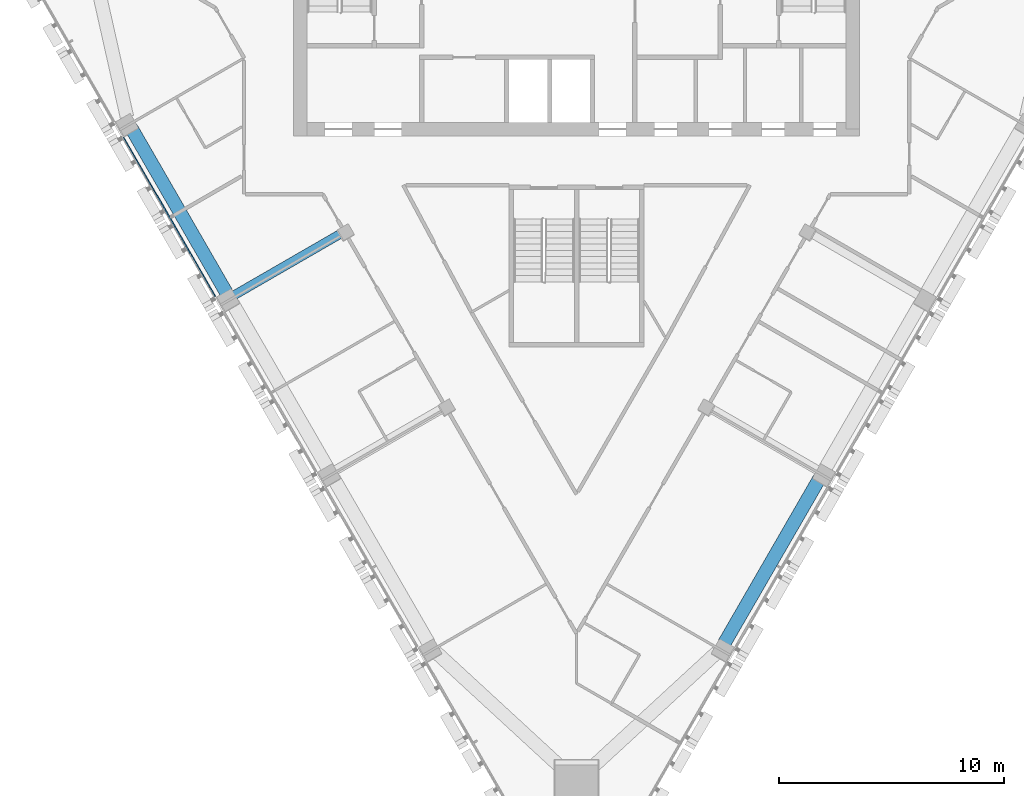
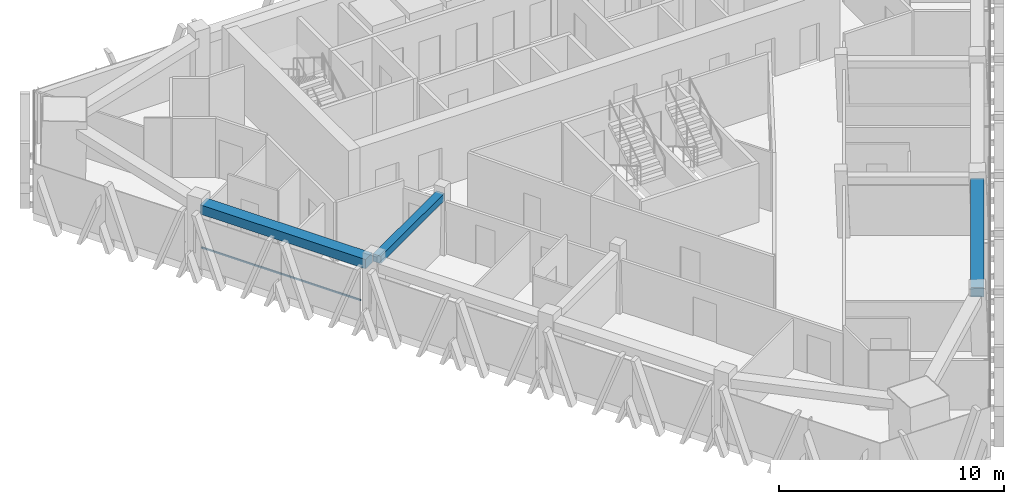
# One storey, part 3 of 14: 3 beams, 1 member, 1 element without a shape of its own.
"""IFC4 building model written with IfcOpenShell, lengths in metres."""

from ifc_helpers import new_model, si_unit, direction, frame, origin, origin_2d, place, context, subcontext, project, spatial, rectangle, extrude, material, layer, layer_set, material_profile, profile_set, type_object, element, aggregate, save


model = new_model("IFC4")

# Units and contexts
model_context = context("Model", 3, precision=1e-05, world=origin(), true_north=direction((0.0, 1.0)))
body_context = subcontext(model_context, "Body", "Model", "MODEL_VIEW")
ifc_project = project(units=[si_unit("LENGTHUNIT", "METRE"), si_unit("AREAUNIT", "SQUARE_METRE"), si_unit("VOLUMEUNIT", "CUBIC_METRE"), si_unit("PLANEANGLEUNIT", "RADIAN"), si_unit("MASSUNIT", "GRAM", prefix="KILO")], contexts=[model_context])

# Site, building, storey
site_placement = place(None, origin())
site = spatial("IfcSite", under=ifc_project, at=site_placement, CompositionType="ELEMENT")
building_placement = place(site_placement, origin())
building = spatial("IfcBuilding", under=site, at=building_placement, Name="Altiplano Prism Tower", CompositionType="ELEMENT")
storey_placement = place(building_placement, frame((0.0, 0.0, 230.199951171875)))
storey = spatial("IfcBuildingStorey", under=building, at=storey_placement, Name="L59", CompositionType="ELEMENT", Elevation=230.199951171875)

# Curtain wall, member
ifc_material_1 = material(Name="Aluminium and glass", Category="aluminium")
ifc_layer = layer(ifc_material_1, 0.280029296875)
ifc_layer_set = layer_set([ifc_layer], Name="Aluminium and glass")
curtain_wall_type = type_object("IfcCurtainWallType", Name="CW1 typical co-living unitised curtain wall", PredefinedType="NOTDEFINED", material=ifc_layer_set)
curtain_wall_placement = place(storey_placement, origin())
curtain_wall = element("IfcCurtainWall", 1, at=curtain_wall_placement, inside=storey, type_object=curtain_wall_type, Name="CW1 curtain wall south-west face L59", PredefinedType="NOTDEFINED")
ifc_material_2 = material(Name="Aluminium", Category="aluminium")
ifc_material_profile_1 = material_profile(ifc_material_2, rectangle(XDim=0.06005859375, YDim=0.080078125, at=origin_2d()), Name="CW1 transom 80 x 60")
ifc_profile_set_1 = profile_set([ifc_material_profile_1], Name="Aluminium")
member_type = type_object("IfcMemberType", Name="CW1 transom 80 x 60", PredefinedType="USERDEFINED", material=ifc_profile_set_1)
member_placement = place(storey_placement, frame((64.826904296875, 92.72119140625, 1.10009765625), z_axis=(0.500008722908, -0.866020367552, 0.0), x_axis=(0.866020367552, 0.500008722908, 0.0)))
member = element("IfcMember", 2, at=member_placement, type_object=member_type, Name="CW1 transom", ObjectType="TRANSOM", PredefinedType="USERDEFINED", context=body_context, shape_type="SweptSolid", body=[
    extrude(rectangle(XDim=0.06005859375, YDim=0.080078125, at=origin_2d()), origin(), (0.0, 0.0, 1.0), 8.169677734375),
])
aggregate(curtain_wall, [member])

# Beams
ifc_material_3 = material(Name="Concrete C60/75", Category="concrete")
ifc_material_profile_2 = material_profile(ifc_material_3, rectangle(XDim=0.60009765625, YDim=0.5, at=origin_2d()), Name="Edge beam 600x500")
ifc_profile_set_2 = profile_set([ifc_material_profile_2], Name="Concrete C60/75")
beam_type_1 = type_object("IfcBeamType", Name="Edge beam 600x500", PredefinedType="SPANDREL", material=ifc_profile_set_2)
for number, where, z_axis, x_axis, name in (
    (3, (65.175537109375, 93.154296875, 2.949951171875), (0.500011199594, -0.866018937599, 0.0), (0.866018937599, 0.500011199594, 0.0), "Edge beam P11-P12 L60"),
    (4, (91.579345703125, 70.213134765625, 2.949951171875), (0.500011199594, 0.866018937599, 0.0), (-0.866018937599, 0.500011199594, 0.0), "Edge beam P21-P22 L60"),
):
    element("IfcBeam", number, at=place(storey_placement, frame(where, z_axis=z_axis, x_axis=x_axis)), inside=storey, type_object=beam_type_1, Name=name, PredefinedType="SPANDREL", context=body_context, shape_type="SweptSolid", body=[
        extrude(rectangle(XDim=0.60009765625, YDim=0.5, at=origin_2d()), origin(), (0.0, 0.0, 1.0), 8.489990234375),
    ])
ifc_material_profile_3 = material_profile(ifc_material_3, rectangle(XDim=0.39990234375, YDim=0.39990234375, at=origin_2d()), Name="Tie beam 400x400")
ifc_profile_set_3 = profile_set([ifc_material_profile_3], Name="Concrete C60/75")
beam_type_2 = type_object("IfcBeamType", Name="Tie beam 400x400", PredefinedType="BEAM", material=ifc_profile_set_3)
beam_placement = place(storey_placement, frame((74.6533203125, 88.5283203125, 3.0), z_axis=(-0.866015459562, -0.500017223503, 0.0), x_axis=(0.500017223503, -0.866015459562, 0.0)))
element("IfcBeam", 5, at=beam_placement, inside=storey, type_object=beam_type_2, Name="Tie beam I12 L60", PredefinedType="BEAM", context=body_context, shape_type="SweptSolid", body=[
    extrude(rectangle(XDim=0.39990234375, YDim=0.39990234375, at=origin_2d()), origin(), (0.0, 0.0, 1.0), 5.639892578125),
])

save(model, "model.ifc")
